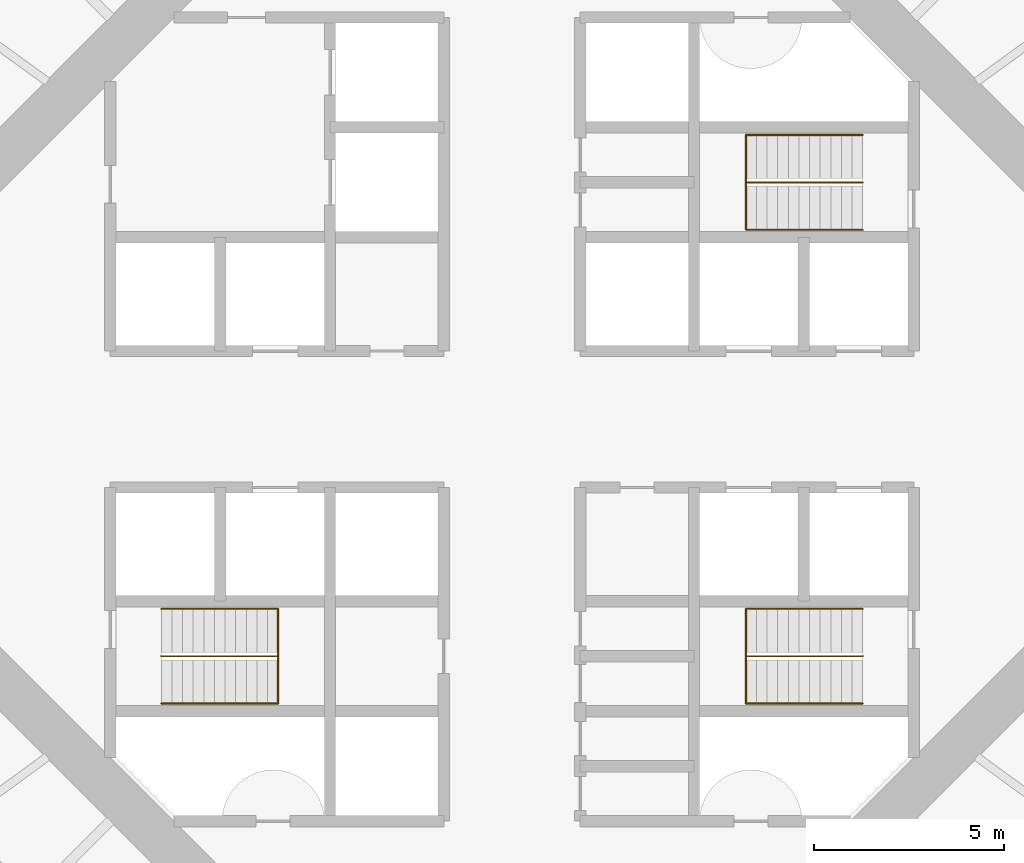
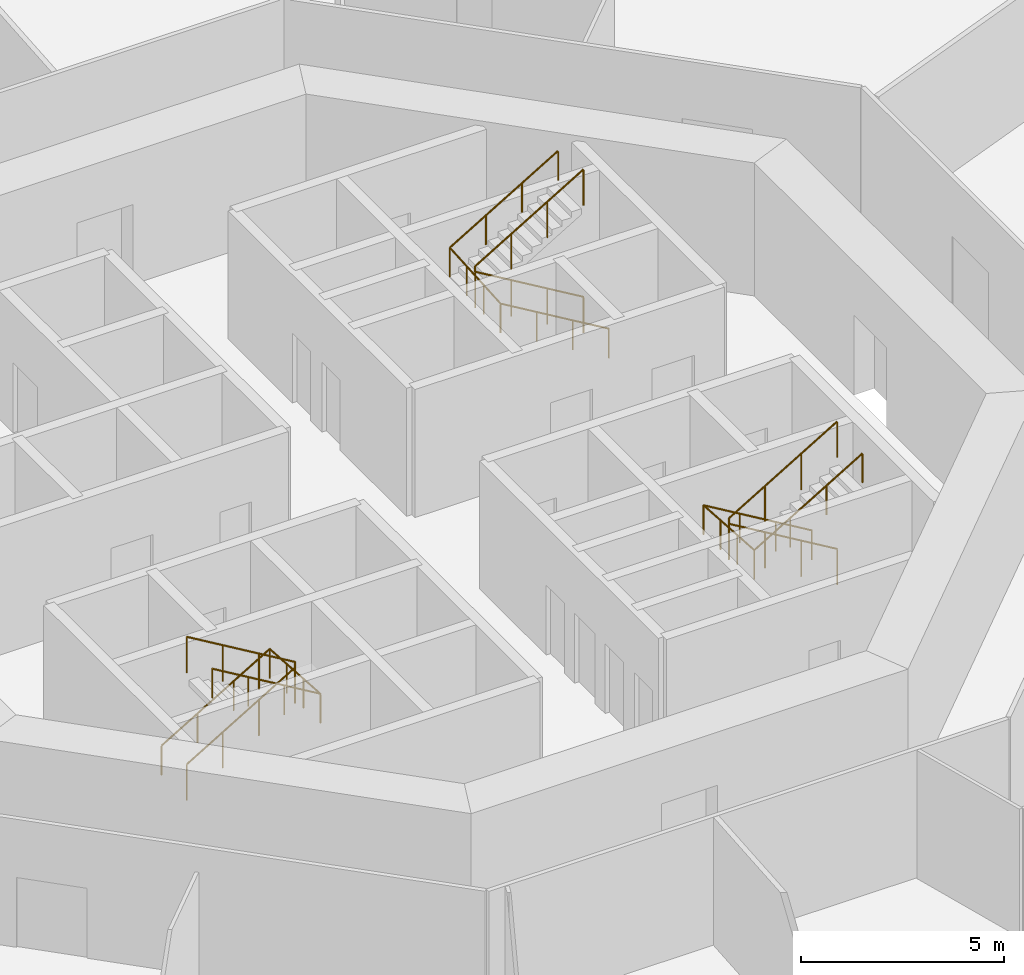
# One storey, part 13 of 13: 6 railings.
"""IFC4 building model written with IfcOpenShell, lengths in metres."""

from ifc_helpers import new_model, si_unit, direction, frame, origin, origin_2d, place, context, subcontext, project, spatial, circle, extrude, material, type_object, element, save


model = new_model("IFC4")

# Units and contexts
model_context = context("Model", 3, precision=1e-05, world=origin(), true_north=direction((0.0, 1.0)))
body_context = subcontext(model_context, "Body", "Model", "MODEL_VIEW")
ifc_project = project(units=[si_unit("LENGTHUNIT", "METRE"), si_unit("AREAUNIT", "SQUARE_METRE"), si_unit("VOLUMEUNIT", "CUBIC_METRE"), si_unit("PLANEANGLEUNIT", "RADIAN"), si_unit("MASSUNIT", "GRAM", prefix="KILO")], contexts=[model_context])

# Site, building, storey
site_placement = place(None, origin())
site = spatial("IfcSite", under=ifc_project, at=site_placement, CompositionType="ELEMENT")
building_placement = place(site_placement, origin())
building = spatial("IfcBuilding", under=site, at=building_placement, Name="Entoto Ring Tower", CompositionType="ELEMENT")
storey_placement = place(building_placement, frame((0.0, 0.0, 88.0)))
storey = spatial("IfcBuildingStorey", under=building, at=storey_placement, Name="L19", CompositionType="ELEMENT", Elevation=88.0)

# Railings
ifc_material_1 = material(Name="Steel S275", Category="steel")
railing_type_1 = type_object("IfcRailingType", Name="Stair guard 1100 mm steel", PredefinedType="GUARDRAIL", material=ifc_material_1)
railing_1_placement = place(storey_placement, frame((99.25, 86.25, 0.166748046875)))
element("IfcRailing", 1, at=railing_1_placement, inside=storey, type_object=railing_type_1, Name="Guard ST1", PredefinedType="GUARDRAIL", context=body_context, shape_type="SweptSolid", body=[
    extrude(circle(Radius=0.02392578125, at=origin_2d()), frame((0.0, 0.0, 1.076171875), z_axis=(-0.859308565015, 0.0, 0.511457515432), x_axis=(0.0, -1.0, 0.0)), (0.0, 0.0, 1.0), 3.58447265625),
    extrude(circle(Radius=0.02392578125, at=origin_2d()), frame((-3.080078125, 0.0, 2.9091796875), z_axis=(0.0, 0.0, 1.0), x_axis=(1.0, 0.0, 0.0)), (0.0, 0.0, 1.0), 0.166748046875),
    extrude(circle(Radius=0.02392578125, at=origin_2d()), frame((-3.080078125, 0.0, 3.076171875), z_axis=(0.859308565015, 0.0, 0.511457515432), x_axis=(0.0, 1.0, 0.0)), (0.0, 0.0, 1.0), 3.58447265625),
    extrude(circle(Radius=0.02099609375, at=origin_2d()), origin(), (0.0, 0.0, 1.0), 1.052001953125),
    extrude(circle(Radius=0.02099609375, at=origin_2d()), frame((-1.026611328125, 0.0, 0.611083984375)), (0.0, 0.0, 1.0), 1.052001953125),
    extrude(circle(Radius=0.02099609375, at=origin_2d()), frame((-2.053466796875, 0.0, 1.22216796875)), (0.0, 0.0, 1.0), 1.052001953125),
    extrude(circle(Radius=0.02099609375, at=origin_2d()), frame((-3.080078125, 0.0, 1.833251953125)), (0.0, 0.0, 1.0), 1.052001953125),
    extrude(circle(Radius=0.02099609375, at=origin_2d()), frame((-3.080078125, 0.0, 2.0)), (0.0, 0.0, 1.0), 1.052001953125),
    extrude(circle(Radius=0.02099609375, at=origin_2d()), frame((-2.053466796875, 0.0, 2.611083984375)), (0.0, 0.0, 1.0), 1.052001953125),
    extrude(circle(Radius=0.02099609375, at=origin_2d()), frame((-1.026611328125, 0.0, 3.22216796875)), (0.0, 0.0, 1.0), 1.052001953125),
    extrude(circle(Radius=0.02099609375, at=origin_2d()), frame((0.0, 0.0, 3.833251953125)), (0.0, 0.0, 1.0), 1.052001953125),
])
railing_2_placement = place(storey_placement, frame((80.75, 73.75, 0.166748046875)))
element("IfcRailing", 2, at=railing_2_placement, inside=storey, type_object=railing_type_1, Name="Guard ST2", PredefinedType="GUARDRAIL", context=body_context, shape_type="SweptSolid", body=[
    extrude(circle(Radius=0.02392578125, at=origin_2d()), frame((0.0, 0.0, 1.076171875), z_axis=(0.859308565015, 0.0, 0.511457515432), x_axis=(0.0, 1.0, 0.0)), (0.0, 0.0, 1.0), 3.58447265625),
    extrude(circle(Radius=0.02392578125, at=origin_2d()), frame((3.080078125, 0.0, 2.9091796875), z_axis=(0.0, 0.0, 1.0), x_axis=(1.0, 0.0, 0.0)), (0.0, 0.0, 1.0), 0.166748046875),
    extrude(circle(Radius=0.02392578125, at=origin_2d()), frame((3.080078125, 0.0, 3.076171875), z_axis=(-0.859308565015, 0.0, 0.511457515432), x_axis=(0.0, -1.0, 0.0)), (0.0, 0.0, 1.0), 3.58447265625),
    extrude(circle(Radius=0.02099609375, at=origin_2d()), origin(), (0.0, 0.0, 1.0), 1.052001953125),
    extrude(circle(Radius=0.02099609375, at=origin_2d()), frame((1.026611328125, 0.0, 0.611083984375)), (0.0, 0.0, 1.0), 1.052001953125),
    extrude(circle(Radius=0.02099609375, at=origin_2d()), frame((2.053466796875, 0.0, 1.22216796875)), (0.0, 0.0, 1.0), 1.052001953125),
    extrude(circle(Radius=0.02099609375, at=origin_2d()), frame((3.080078125, 0.0, 1.833251953125)), (0.0, 0.0, 1.0), 1.052001953125),
    extrude(circle(Radius=0.02099609375, at=origin_2d()), frame((3.080078125, 0.0, 2.0)), (0.0, 0.0, 1.0), 1.052001953125),
    extrude(circle(Radius=0.02099609375, at=origin_2d()), frame((2.053466796875, 0.0, 2.611083984375)), (0.0, 0.0, 1.0), 1.052001953125),
    extrude(circle(Radius=0.02099609375, at=origin_2d()), frame((1.026611328125, 0.0, 3.22216796875)), (0.0, 0.0, 1.0), 1.052001953125),
    extrude(circle(Radius=0.02099609375, at=origin_2d()), frame((0.0, 0.0, 3.833251953125)), (0.0, 0.0, 1.0), 1.052001953125),
])
railing_3_placement = place(storey_placement, frame((99.25, 73.75, 0.166748046875)))
element("IfcRailing", 3, at=railing_3_placement, inside=storey, type_object=railing_type_1, Name="Guard ST3", PredefinedType="GUARDRAIL", context=body_context, shape_type="SweptSolid", body=[
    extrude(circle(Radius=0.02392578125, at=origin_2d()), frame((0.0, 0.0, 1.076171875), z_axis=(-0.859308565015, 0.0, 0.511457515432), x_axis=(0.0, -1.0, 0.0)), (0.0, 0.0, 1.0), 3.58447265625),
    extrude(circle(Radius=0.02392578125, at=origin_2d()), frame((-3.080078125, 0.0, 2.9091796875), z_axis=(0.0, 0.0, 1.0), x_axis=(1.0, 0.0, 0.0)), (0.0, 0.0, 1.0), 0.166748046875),
    extrude(circle(Radius=0.02392578125, at=origin_2d()), frame((-3.080078125, 0.0, 3.076171875), z_axis=(0.859308565015, 0.0, 0.511457515432), x_axis=(0.0, 1.0, 0.0)), (0.0, 0.0, 1.0), 3.58447265625),
    extrude(circle(Radius=0.02099609375, at=origin_2d()), origin(), (0.0, 0.0, 1.0), 1.052001953125),
    extrude(circle(Radius=0.02099609375, at=origin_2d()), frame((-1.026611328125, 0.0, 0.611083984375)), (0.0, 0.0, 1.0), 1.052001953125),
    extrude(circle(Radius=0.02099609375, at=origin_2d()), frame((-2.053466796875, 0.0, 1.22216796875)), (0.0, 0.0, 1.0), 1.052001953125),
    extrude(circle(Radius=0.02099609375, at=origin_2d()), frame((-3.080078125, 0.0, 1.833251953125)), (0.0, 0.0, 1.0), 1.052001953125),
    extrude(circle(Radius=0.02099609375, at=origin_2d()), frame((-3.080078125, 0.0, 2.0)), (0.0, 0.0, 1.0), 1.052001953125),
    extrude(circle(Radius=0.02099609375, at=origin_2d()), frame((-2.053466796875, 0.0, 2.611083984375)), (0.0, 0.0, 1.0), 1.052001953125),
    extrude(circle(Radius=0.02099609375, at=origin_2d()), frame((-1.026611328125, 0.0, 3.22216796875)), (0.0, 0.0, 1.0), 1.052001953125),
    extrude(circle(Radius=0.02099609375, at=origin_2d()), frame((0.0, 0.0, 3.833251953125)), (0.0, 0.0, 1.0), 1.052001953125),
])
ifc_material_2 = material(Name="Steel S275", Category="steel")
railing_type_2 = type_object("IfcRailingType", Name="Stair handrail 900 mm steel", PredefinedType="HANDRAIL", material=ifc_material_2)
railing_4_placement = place(storey_placement, frame((99.25, 85.0, 0.166748046875)))
element("IfcRailing", 4, at=railing_4_placement, inside=storey, type_object=railing_type_2, Name="Handrail ST1", PredefinedType="HANDRAIL", context=body_context, shape_type="SweptSolid", body=[
    extrude(circle(Radius=0.02392578125, at=origin_2d()), frame((0.0, 0.0, 0.8759765625), z_axis=(-0.859308565015, 0.0, 0.511457515432), x_axis=(0.0, -1.0, 0.0)), (0.0, 0.0, 1.0), 3.58447265625),
    extrude(circle(Radius=0.02392578125, at=origin_2d()), frame((-3.080078125, 0.0, 2.708984375), z_axis=(0.0, 0.997783001586, 0.066551346688), x_axis=(-1.0, 0.0, 0.0)), (0.0, 0.0, 1.0), 2.505615234375),
    extrude(circle(Radius=0.02392578125, at=origin_2d()), frame((-3.080078125, 2.5, 2.8759765625), z_axis=(0.859308565015, 0.0, 0.511457515432), x_axis=(0.0, 1.0, 0.0)), (0.0, 0.0, 1.0), 3.58447265625),
    extrude(circle(Radius=0.02099609375, at=origin_2d()), origin(), (0.0, 0.0, 1.0), 0.851806640625),
    extrude(circle(Radius=0.02099609375, at=origin_2d()), frame((-1.026611328125, 0.0, 0.611083984375)), (0.0, 0.0, 1.0), 0.851806640625),
    extrude(circle(Radius=0.02099609375, at=origin_2d()), frame((-2.053466796875, 0.0, 1.22216796875)), (0.0, 0.0, 1.0), 0.851806640625),
    extrude(circle(Radius=0.02099609375, at=origin_2d()), frame((-3.080078125, 0.0, 1.833251953125)), (0.0, 0.0, 1.0), 0.851806640625),
    extrude(circle(Radius=0.02099609375, at=origin_2d()), frame((-3.080078125, 0.833251953125, 1.888916015625)), (0.0, 0.0, 1.0), 0.851806640625),
    extrude(circle(Radius=0.02099609375, at=origin_2d()), frame((-3.080078125, 1.666748046875, 1.9443359375)), (0.0, 0.0, 1.0), 0.851806640625),
    extrude(circle(Radius=0.02099609375, at=origin_2d()), frame((-3.080078125, 2.5, 2.0)), (0.0, 0.0, 1.0), 0.851806640625),
    extrude(circle(Radius=0.02099609375, at=origin_2d()), frame((-2.053466796875, 2.5, 2.611083984375)), (0.0, 0.0, 1.0), 0.851806640625),
    extrude(circle(Radius=0.02099609375, at=origin_2d()), frame((-1.026611328125, 2.5, 3.22216796875)), (0.0, 0.0, 1.0), 0.851806640625),
    extrude(circle(Radius=0.02099609375, at=origin_2d()), frame((0.0, 2.5, 3.833251953125)), (0.0, 0.0, 1.0), 0.851806640625),
])
railing_5_placement = place(storey_placement, frame((80.75, 75.0, 0.166748046875)))
element("IfcRailing", 5, at=railing_5_placement, inside=storey, type_object=railing_type_2, Name="Handrail ST2", PredefinedType="HANDRAIL", context=body_context, shape_type="SweptSolid", body=[
    extrude(circle(Radius=0.02392578125, at=origin_2d()), frame((0.0, 0.0, 0.8759765625), z_axis=(0.859308565015, 0.0, 0.511457515432), x_axis=(0.0, 1.0, 0.0)), (0.0, 0.0, 1.0), 3.58447265625),
    extrude(circle(Radius=0.02392578125, at=origin_2d()), frame((3.080078125, 0.0, 2.708984375), z_axis=(0.0, -0.997783001586, 0.066551346688), x_axis=(1.0, 0.0, 0.0)), (0.0, 0.0, 1.0), 2.505615234375),
    extrude(circle(Radius=0.02392578125, at=origin_2d()), frame((3.080078125, -2.5, 2.8759765625), z_axis=(-0.859308565015, 0.0, 0.511457515432), x_axis=(0.0, -1.0, 0.0)), (0.0, 0.0, 1.0), 3.58447265625),
    extrude(circle(Radius=0.02099609375, at=origin_2d()), origin(), (0.0, 0.0, 1.0), 0.851806640625),
    extrude(circle(Radius=0.02099609375, at=origin_2d()), frame((1.026611328125, 0.0, 0.611083984375)), (0.0, 0.0, 1.0), 0.851806640625),
    extrude(circle(Radius=0.02099609375, at=origin_2d()), frame((2.053466796875, 0.0, 1.22216796875)), (0.0, 0.0, 1.0), 0.851806640625),
    extrude(circle(Radius=0.02099609375, at=origin_2d()), frame((3.080078125, 0.0, 1.833251953125)), (0.0, 0.0, 1.0), 0.851806640625),
    extrude(circle(Radius=0.02099609375, at=origin_2d()), frame((3.080078125, -0.833251953125, 1.888916015625)), (0.0, 0.0, 1.0), 0.851806640625),
    extrude(circle(Radius=0.02099609375, at=origin_2d()), frame((3.080078125, -1.666748046875, 1.9443359375)), (0.0, 0.0, 1.0), 0.851806640625),
    extrude(circle(Radius=0.02099609375, at=origin_2d()), frame((3.080078125, -2.5, 2.0)), (0.0, 0.0, 1.0), 0.851806640625),
    extrude(circle(Radius=0.02099609375, at=origin_2d()), frame((2.053466796875, -2.5, 2.611083984375)), (0.0, 0.0, 1.0), 0.851806640625),
    extrude(circle(Radius=0.02099609375, at=origin_2d()), frame((1.026611328125, -2.5, 3.22216796875)), (0.0, 0.0, 1.0), 0.851806640625),
    extrude(circle(Radius=0.02099609375, at=origin_2d()), frame((0.0, -2.5, 3.833251953125)), (0.0, 0.0, 1.0), 0.851806640625),
])
railing_6_placement = place(storey_placement, frame((99.25, 75.0, 0.166748046875)))
element("IfcRailing", 6, at=railing_6_placement, inside=storey, type_object=railing_type_2, Name="Handrail ST3", PredefinedType="HANDRAIL", context=body_context, shape_type="SweptSolid", body=[
    extrude(circle(Radius=0.02392578125, at=origin_2d()), frame((0.0, 0.0, 0.8759765625), z_axis=(-0.859308565015, 0.0, 0.511457515432), x_axis=(0.0, -1.0, 0.0)), (0.0, 0.0, 1.0), 3.58447265625),
    extrude(circle(Radius=0.02392578125, at=origin_2d()), frame((-3.080078125, 0.0, 2.708984375), z_axis=(0.0, -0.997783001586, 0.066551346688), x_axis=(1.0, 0.0, 0.0)), (0.0, 0.0, 1.0), 2.505615234375),
    extrude(circle(Radius=0.02392578125, at=origin_2d()), frame((-3.080078125, -2.5, 2.8759765625), z_axis=(0.859308565015, 0.0, 0.511457515432), x_axis=(0.0, 1.0, 0.0)), (0.0, 0.0, 1.0), 3.58447265625),
    extrude(circle(Radius=0.02099609375, at=origin_2d()), origin(), (0.0, 0.0, 1.0), 0.851806640625),
    extrude(circle(Radius=0.02099609375, at=origin_2d()), frame((-1.026611328125, 0.0, 0.611083984375)), (0.0, 0.0, 1.0), 0.851806640625),
    extrude(circle(Radius=0.02099609375, at=origin_2d()), frame((-2.053466796875, 0.0, 1.22216796875)), (0.0, 0.0, 1.0), 0.851806640625),
    extrude(circle(Radius=0.02099609375, at=origin_2d()), frame((-3.080078125, 0.0, 1.833251953125)), (0.0, 0.0, 1.0), 0.851806640625),
    extrude(circle(Radius=0.02099609375, at=origin_2d()), frame((-3.080078125, -0.833251953125, 1.888916015625)), (0.0, 0.0, 1.0), 0.851806640625),
    extrude(circle(Radius=0.02099609375, at=origin_2d()), frame((-3.080078125, -1.666748046875, 1.9443359375)), (0.0, 0.0, 1.0), 0.851806640625),
    extrude(circle(Radius=0.02099609375, at=origin_2d()), frame((-3.080078125, -2.5, 2.0)), (0.0, 0.0, 1.0), 0.851806640625),
    extrude(circle(Radius=0.02099609375, at=origin_2d()), frame((-2.053466796875, -2.5, 2.611083984375)), (0.0, 0.0, 1.0), 0.851806640625),
    extrude(circle(Radius=0.02099609375, at=origin_2d()), frame((-1.026611328125, -2.5, 3.22216796875)), (0.0, 0.0, 1.0), 0.851806640625),
    extrude(circle(Radius=0.02099609375, at=origin_2d()), frame((0.0, -2.5, 3.833251953125)), (0.0, 0.0, 1.0), 0.851806640625),
])

save(model, "model.ifc")
